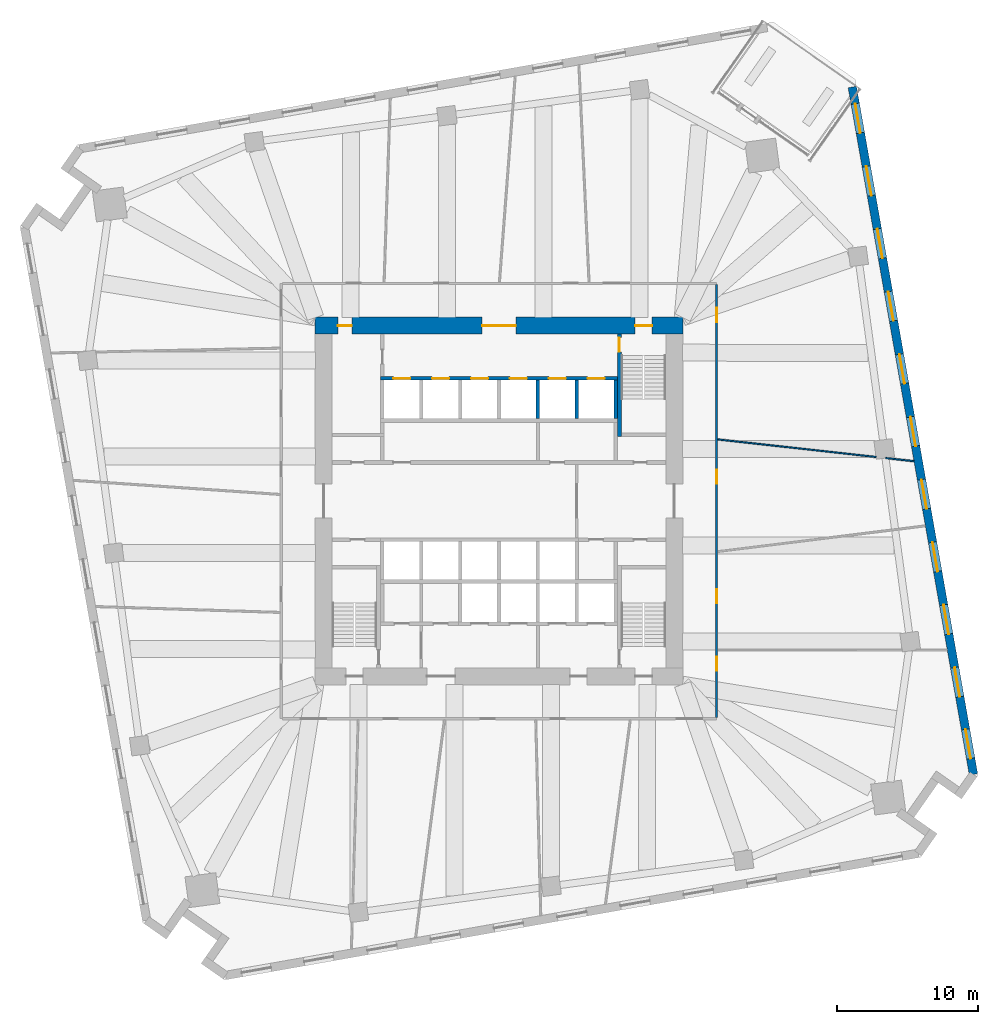
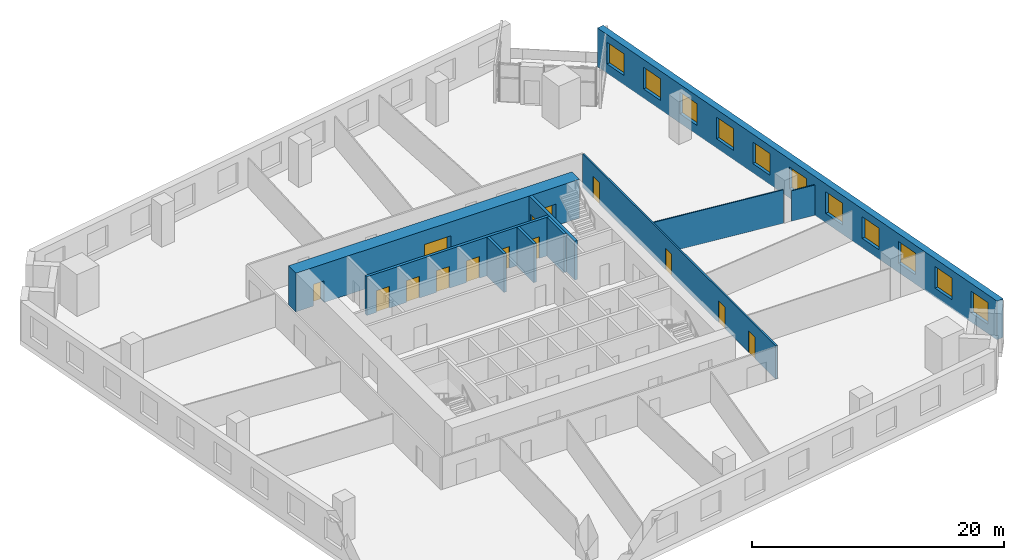
# One storey, part 7 of 10: 14 doors, 11 windows, 10 walls, 25 openings.
"""IFC4 building model written with IfcOpenShell, lengths in metres."""

from ifc_helpers import new_model, si_unit, direction, frame, frame_2d, origin, place, context, subcontext, project, spatial, rectangle, extrude, material, layer, layer_set, type_object, element, fill, save


model = new_model("IFC4")

# Units and contexts
model_context = context("Model", 3, precision=1e-05, world=origin(), true_north=direction((0.0, 1.0)))
body_context = subcontext(model_context, "Body", "Model", "MODEL_VIEW")
ifc_project = project(units=[si_unit("LENGTHUNIT", "METRE"), si_unit("AREAUNIT", "SQUARE_METRE"), si_unit("VOLUMEUNIT", "CUBIC_METRE"), si_unit("PLANEANGLEUNIT", "RADIAN"), si_unit("MASSUNIT", "GRAM", prefix="KILO")], contexts=[model_context])

# Site, building, storey
site_placement = place(None, origin())
site = spatial("IfcSite", under=ifc_project, at=site_placement, CompositionType="ELEMENT")
building_placement = place(site_placement, origin())
building = spatial("IfcBuilding", under=site, at=building_placement, Name="Dilmun Exchange Tower", CompositionType="ELEMENT")
storey_placement = place(building_placement, frame((0.0, 0.0, 63.89990234375)))
storey = spatial("IfcBuildingStorey", under=building, at=storey_placement, Name="L14", CompositionType="ELEMENT", Elevation=63.89990234375)

# Wall, openings, doors
ifc_material_1 = material(Name="Concrete C80/95", Category="concrete")
ifc_layer_1 = layer(ifc_material_1, 1.199951171875)
ifc_layer_set_1 = layer_set([ifc_layer_1], Name="Concrete C80/95")
wall_type_1 = type_object("IfcWallType", Name="Core shear wall 1200 Concrete C80/95", PredefinedType="SHEAR", material=ifc_layer_set_1)
wall_1_placement = place(storey_placement, frame((-13.0, 12.39990234375, 0.0), z_axis=(0.0, 0.0, 1.0), x_axis=(1.0, 0.0, 0.0)))
wall_1 = element("IfcWall", 1, at=wall_1_placement, inside=storey, type_object=wall_type_1, Name="L14 core shear wall N", PredefinedType="SHEAR", context=body_context, shape_type="SweptSolid", body=[
    extrude(rectangle(XDim=26.0, YDim=1.199951171875, at=frame_2d((13.0, 0.0))), origin(), (0.0, 0.0, 1.0), 3.75),
])
opening_1_placement = place(wall_1_placement, frame((11.800048828125, 0.0, 0.0)))
opening_1 = element("IfcOpeningElement", 2, at=opening_1_placement, cuts=wall_1, Name="Opening CD1", PredefinedType="OPENING", context=body_context, shape_type="SweptSolid", body=[
    extrude(rectangle(XDim=2.39990234375, YDim=2.39990234375, at=frame_2d((1.199951171875, 1.199951171875))), frame((0.0, 0.60986328125, 0.0), z_axis=(0.0, -1.0, 0.0), x_axis=(1.0, 0.0, 0.0)), (0.0, 0.0, 1.0), 1.219970703125),
])
opening_2_placement = place(wall_1_placement, frame((22.625, 0.0, 0.0)))
opening_2 = element("IfcOpeningElement", 3, at=opening_2_placement, cuts=wall_1, Name="Opening CD3", PredefinedType="OPENING", context=body_context, shape_type="SweptSolid", body=[
    extrude(rectangle(XDim=1.199951171875, YDim=2.10009765625, at=frame_2d((0.60009765625, 1.050048828125))), frame((0.0, 0.60986328125, 0.0), z_axis=(0.0, -1.0, 0.0), x_axis=(1.0, 0.0, 0.0)), (0.0, 0.0, 1.0), 1.219970703125),
])
opening_3_placement = place(wall_1_placement, frame((1.60009765625, 0.0, 0.0)))
opening_3 = element("IfcOpeningElement", 4, at=opening_3_placement, cuts=wall_1, Name="Opening CD4", PredefinedType="OPENING", context=body_context, shape_type="SweptSolid", body=[
    extrude(rectangle(XDim=1.0, YDim=2.10009765625, at=frame_2d((0.5, 1.050048828125))), frame((0.0, 0.60986328125, 0.0), z_axis=(0.0, -1.0, 0.0), x_axis=(1.0, 0.0, 0.0)), (0.0, 0.0, 1.0), 1.219970703125),
])
ifc_material_2 = material(Name="Fire-rated steel door set", Category="steel")
door_type_1 = type_object("IfcDoorType", Name="Core lobby door 2400x2400", OperationType="DOUBLE_DOOR_DOUBLE_SWING", PredefinedType="DOOR", material=ifc_material_2)
door_1_placement = place(opening_1_placement, origin())
door_1 = element("IfcDoor", 5, at=door_1_placement, inside=storey, type_object=door_type_1, Name="L14 door North lift lobby", OperationType="SINGLE_SWING_LEFT", OverallHeight=2.39990234375, OverallWidth=2.39990234375, PredefinedType="DOOR", context=body_context, shape_type="SweptSolid", body=[
    extrude(rectangle(XDim=2.39990234375, YDim=2.39990234375, at=frame_2d((1.199951171875, 1.199951171875))), frame((0.0, 0.02490234375, 0.0), z_axis=(0.0, -1.0, 0.0), x_axis=(1.0, 0.0, 0.0)), (0.0, 0.0, 1.0), 0.050048828125),
])
fill(opening_1, door_1)
door_type_2 = type_object("IfcDoorType", Name="Core room door 1000x2100", OperationType="SINGLE_SWING_LEFT", PredefinedType="DOOR", material=ifc_material_2)
door_2_placement = place(opening_3_placement, origin())
door_2 = element("IfcDoor", 6, at=door_2_placement, inside=storey, type_object=door_type_2, Name="L14 door North-west core rooms", OperationType="SINGLE_SWING_LEFT", OverallHeight=2.10009765625, OverallWidth=1.0, PredefinedType="DOOR", context=body_context, shape_type="SweptSolid", body=[
    extrude(rectangle(XDim=1.0, YDim=2.10009765625, at=frame_2d((0.5, 1.050048828125))), frame((0.0, 0.02490234375, 0.0), z_axis=(0.0, -1.0, 0.0), x_axis=(1.0, 0.0, 0.0)), (0.0, 0.0, 1.0), 0.050048828125),
])
fill(opening_3, door_2)
door_type_3 = type_object("IfcDoorType", Name="Stair exit door 1200x2100", OperationType="SINGLE_SWING_LEFT", PredefinedType="DOOR", material=ifc_material_2)
door_3_placement = place(opening_2_placement, origin())
door_3 = element("IfcDoor", 7, at=door_3_placement, inside=storey, type_object=door_type_3, Name="L14 door Stair ST1", OperationType="SINGLE_SWING_LEFT", OverallHeight=2.10009765625, OverallWidth=1.199951171875, PredefinedType="DOOR", context=body_context, shape_type="SweptSolid", body=[
    extrude(rectangle(XDim=1.199951171875, YDim=2.10009765625, at=frame_2d((0.60009765625, 1.050048828125))), frame((0.0, 0.02490234375, 0.0), z_axis=(0.0, -1.0, 0.0), x_axis=(1.0, 0.0, 0.0)), (0.0, 0.0, 1.0), 0.050048828125),
])
fill(opening_2, door_3)

ifc_material_3 = material(Name="Corridor wall 150")
ifc_layer_2 = layer(ifc_material_3, 0.14990234375)
ifc_layer_set_2 = layer_set([ifc_layer_2], Name="Corridor wall 150")
wall_type_2 = type_object("IfcWallType", Name="Corridor wall 150", PredefinedType="PARTITIONING", material=ifc_layer_set_2)
wall_2_placement = place(storey_placement, frame((15.39990234375, -15.324951171875, 0.0), z_axis=(0.0, 0.0, 1.0), x_axis=(0.0, 1.0, 0.0)))
wall_2 = element("IfcWall", 8, at=wall_2_placement, inside=storey, type_object=wall_type_2, Name="Corridor wall", PredefinedType="PARTITIONING", context=body_context, shape_type="SweptSolid", body=[
    extrude(rectangle(XDim=30.64990234375, YDim=0.14990234375, at=frame_2d((15.324951171875, 0.0))), origin(), (0.0, 0.0, 1.0), 3.25),
])
opening_4_placement = place(wall_2_placement, frame((27.985107421875, 0.0, 0.0)))
opening_4 = element("IfcOpeningElement", 9, at=opening_4_placement, cuts=wall_2, Name="Opening TF13-D14", PredefinedType="OPENING", context=body_context, shape_type="SweptSolid", body=[
    extrude(rectangle(XDim=1.0, YDim=2.10009765625, at=frame_2d((0.5, 1.050048828125))), frame((0.0, 0.0849609375, 0.0), z_axis=(0.0, -1.0, 0.0), x_axis=(1.0, 0.0, 0.0)), (0.0, 0.0, 1.0), 0.169921875),
])
opening_5_placement = place(wall_2_placement, frame((3.300048828125, 0.0, 0.0)))
opening_5 = element("IfcOpeningElement", 10, at=opening_5_placement, cuts=wall_2, Name="Opening TF13-D16", PredefinedType="OPENING", context=body_context, shape_type="SweptSolid", body=[
    extrude(rectangle(XDim=1.0, YDim=2.10009765625, at=frame_2d((0.5, 1.050048828125))), frame((0.0, 0.0849609375, 0.0), z_axis=(0.0, -1.0, 0.0), x_axis=(1.0, 0.0, 0.0)), (0.0, 0.0, 1.0), 0.169921875),
])
opening_6_placement = place(wall_2_placement, frame((16.53759765625, 0.0, 0.0)))
opening_6 = element("IfcOpeningElement", 11, at=opening_6_placement, cuts=wall_2, Name="Opening TF13-D17", PredefinedType="OPENING", context=body_context, shape_type="SweptSolid", body=[
    extrude(rectangle(XDim=1.0, YDim=2.10009765625, at=frame_2d((0.5, 1.050048828125))), frame((0.0, 0.0849609375, 0.0), z_axis=(0.0, -1.0, 0.0), x_axis=(1.0, 0.0, 0.0)), (0.0, 0.0, 1.0), 0.169921875),
])
opening_7_placement = place(wall_2_placement, frame((8.08740234375, 0.0, 0.0)))
opening_7 = element("IfcOpeningElement", 12, at=opening_7_placement, cuts=wall_2, Name="Opening TF13-D18", PredefinedType="OPENING", context=body_context, shape_type="SweptSolid", body=[
    extrude(rectangle(XDim=1.0, YDim=2.10009765625, at=frame_2d((0.5, 1.050048828125))), frame((0.0, 0.0849609375, 0.0), z_axis=(0.0, -1.0, 0.0), x_axis=(1.0, 0.0, 0.0)), (0.0, 0.0, 1.0), 0.169921875),
])
ifc_material_4 = material(Name="Fire door 1000 x 2100")
door_type_4 = type_object("IfcDoorType", Name="Fire door 1000 x 2100", OperationType="NOTDEFINED", PredefinedType="DOOR", material=ifc_material_4)
door_4_placement = place(opening_4_placement, frame((1.0, 0.0, 0.0), z_axis=(0.0, 0.0, 1.0), x_axis=(-1.0, 0.0, 0.0)))
door_4 = element("IfcDoor", 13, at=door_4_placement, inside=storey, type_object=door_type_4, Name="Door TF13-D14", OperationType="SINGLE_SWING_LEFT", OverallHeight=2.10009765625, OverallWidth=1.0, PredefinedType="DOOR", context=body_context, shape_type="SweptSolid", body=[
    extrude(rectangle(XDim=1.0, YDim=2.10009765625, at=frame_2d((0.5, 1.050048828125))), frame((0.0, 0.02490234375, 0.0), z_axis=(0.0, -1.0, 0.0), x_axis=(1.0, 0.0, 0.0)), (0.0, 0.0, 1.0), 0.050048828125),
])
fill(opening_4, door_4)
door_5_placement = place(opening_5_placement, frame((1.0, 0.0, 0.0), z_axis=(0.0, 0.0, 1.0), x_axis=(-1.0, 0.0, 0.0)))
door_5 = element("IfcDoor", 14, at=door_5_placement, inside=storey, type_object=door_type_4, Name="Door TF13-D16", OperationType="SINGLE_SWING_RIGHT", OverallHeight=2.10009765625, OverallWidth=1.0, PredefinedType="DOOR", context=body_context, shape_type="SweptSolid", body=[
    extrude(rectangle(XDim=1.0, YDim=2.10009765625, at=frame_2d((0.5, 1.050048828125))), frame((0.0, 0.02490234375, 0.0), z_axis=(0.0, -1.0, 0.0), x_axis=(1.0, 0.0, 0.0)), (0.0, 0.0, 1.0), 0.050048828125),
])
fill(opening_5, door_5)
door_6_placement = place(opening_6_placement, frame((1.0, 0.0, 0.0), z_axis=(0.0, 0.0, 1.0), x_axis=(-1.0, 0.0, 0.0)))
door_6 = element("IfcDoor", 15, at=door_6_placement, inside=storey, type_object=door_type_4, Name="Door TF13-D17", OperationType="SINGLE_SWING_RIGHT", OverallHeight=2.10009765625, OverallWidth=1.0, PredefinedType="DOOR", context=body_context, shape_type="SweptSolid", body=[
    extrude(rectangle(XDim=1.0, YDim=2.10009765625, at=frame_2d((0.5, 1.050048828125))), frame((0.0, 0.02490234375, 0.0), z_axis=(0.0, -1.0, 0.0), x_axis=(1.0, 0.0, 0.0)), (0.0, 0.0, 1.0), 0.050048828125),
])
fill(opening_6, door_6)
door_7_placement = place(opening_7_placement, frame((1.0, 0.0, 0.0), z_axis=(0.0, 0.0, 1.0), x_axis=(-1.0, 0.0, 0.0)))
door_7 = element("IfcDoor", 16, at=door_7_placement, inside=storey, type_object=door_type_4, Name="Door TF13-D18", OperationType="SINGLE_SWING_RIGHT", OverallHeight=2.10009765625, OverallWidth=1.0, PredefinedType="DOOR", context=body_context, shape_type="SweptSolid", body=[
    extrude(rectangle(XDim=1.0, YDim=2.10009765625, at=frame_2d((0.5, 1.050048828125))), frame((0.0, 0.02490234375, 0.0), z_axis=(0.0, -1.0, 0.0), x_axis=(1.0, 0.0, 0.0)), (0.0, 0.0, 1.0), 0.050048828125),
])
fill(opening_7, door_7)

ifc_material_5 = material(Name="Concrete C40/50", Category="concrete")
ifc_layer_3 = layer(ifc_material_5, 0.25)
ifc_layer_set_3 = layer_set([ifc_layer_3], Name="Concrete C40/50")
wall_type_3 = type_object("IfcWallType", Name="Lift shaft wall 250", PredefinedType="SOLIDWALL", material=ifc_layer_set_3)
wall_3_placement = place(storey_placement, frame((-8.375, 8.675048828125, 0.0), z_axis=(0.0, 0.0, 1.0), x_axis=(1.0, 0.0, 0.0)))
wall_3 = element("IfcWall", 17, at=wall_3_placement, inside=storey, type_object=wall_type_3, Name="L14 lift shaft front wall N2", PredefinedType="SOLIDWALL", context=body_context, shape_type="SweptSolid", body=[
    extrude(rectangle(XDim=16.75, YDim=0.25, at=frame_2d((8.375, 0.0))), origin(), (0.0, 0.0, 1.0), 3.75),
])
opening_8_placement = place(wall_3_placement, frame((0.89990234375, 0.0, 0.0)))
opening_8 = element("IfcOpeningElement", 18, at=opening_8_placement, cuts=wall_3, Name="Opening LD", PredefinedType="OPENING", context=body_context, shape_type="SweptSolid", body=[
    extrude(rectangle(XDim=1.199951171875, YDim=2.10009765625, at=frame_2d((0.60009765625, 1.050048828125))), frame((0.0, 0.135009765625, 0.0), z_axis=(0.0, -1.0, 0.0), x_axis=(1.0, 0.0, 0.0)), (0.0, 0.0, 1.0), 0.27001953125),
])
opening_9_placement = place(wall_3_placement, frame((3.64990234375, 0.0, 0.0)))
opening_9 = element("IfcOpeningElement", 19, at=opening_9_placement, cuts=wall_3, Name="Opening LD", PredefinedType="OPENING", context=body_context, shape_type="SweptSolid", body=[
    extrude(rectangle(XDim=1.199951171875, YDim=2.10009765625, at=frame_2d((0.60009765625, 1.050048828125))), frame((0.0, 0.135009765625, 0.0), z_axis=(0.0, -1.0, 0.0), x_axis=(1.0, 0.0, 0.0)), (0.0, 0.0, 1.0), 0.27001953125),
])
opening_10_placement = place(wall_3_placement, frame((6.39990234375, 0.0, 0.0)))
opening_10 = element("IfcOpeningElement", 20, at=opening_10_placement, cuts=wall_3, Name="Opening LD", PredefinedType="OPENING", context=body_context, shape_type="SweptSolid", body=[
    extrude(rectangle(XDim=1.199951171875, YDim=2.10009765625, at=frame_2d((0.60009765625, 1.050048828125))), frame((0.0, 0.135009765625, 0.0), z_axis=(0.0, -1.0, 0.0), x_axis=(1.0, 0.0, 0.0)), (0.0, 0.0, 1.0), 0.27001953125),
])
opening_11_placement = place(wall_3_placement, frame((9.14990234375, 0.0, 0.0)))
opening_11 = element("IfcOpeningElement", 21, at=opening_11_placement, cuts=wall_3, Name="Opening LD", PredefinedType="OPENING", context=body_context, shape_type="SweptSolid", body=[
    extrude(rectangle(XDim=1.199951171875, YDim=2.10009765625, at=frame_2d((0.60009765625, 1.050048828125))), frame((0.0, 0.135009765625, 0.0), z_axis=(0.0, -1.0, 0.0), x_axis=(1.0, 0.0, 0.0)), (0.0, 0.0, 1.0), 0.27001953125),
])
opening_12_placement = place(wall_3_placement, frame((11.89990234375, 0.0, 0.0)))
opening_12 = element("IfcOpeningElement", 22, at=opening_12_placement, cuts=wall_3, Name="Opening LD", PredefinedType="OPENING", context=body_context, shape_type="SweptSolid", body=[
    extrude(rectangle(XDim=1.199951171875, YDim=2.10009765625, at=frame_2d((0.60009765625, 1.050048828125))), frame((0.0, 0.135009765625, 0.0), z_axis=(0.0, -1.0, 0.0), x_axis=(1.0, 0.0, 0.0)), (0.0, 0.0, 1.0), 0.27001953125),
])
opening_13_placement = place(wall_3_placement, frame((14.64990234375, 0.0, 0.0)))
opening_13 = element("IfcOpeningElement", 23, at=opening_13_placement, cuts=wall_3, Name="Opening LD", PredefinedType="OPENING", context=body_context, shape_type="SweptSolid", body=[
    extrude(rectangle(XDim=1.199951171875, YDim=2.10009765625, at=frame_2d((0.60009765625, 1.050048828125))), frame((0.0, 0.135009765625, 0.0), z_axis=(0.0, -1.0, 0.0), x_axis=(1.0, 0.0, 0.0)), (0.0, 0.0, 1.0), 0.27001953125),
])
door_type_5 = type_object("IfcDoorType", Name="Lift landing door 1200x2100", OperationType="DOUBLE_DOOR_SLIDING", PredefinedType="DOOR", material=ifc_material_2)
door_8_placement = place(opening_8_placement, origin())
door_8 = element("IfcDoor", 24, at=door_8_placement, inside=storey, type_object=door_type_5, Name="L14 landing door LR1", OperationType="DOUBLE_DOOR_SLIDING", OverallHeight=2.10009765625, OverallWidth=1.199951171875, PredefinedType="DOOR", context=body_context, shape_type="SweptSolid", body=[
    extrude(rectangle(XDim=1.199951171875, YDim=2.10009765625, at=frame_2d((0.60009765625, 1.050048828125))), frame((0.0, 0.02490234375, 0.0), z_axis=(0.0, -1.0, 0.0), x_axis=(1.0, 0.0, 0.0)), (0.0, 0.0, 1.0), 0.050048828125),
])
fill(opening_8, door_8)
door_9_placement = place(opening_9_placement, origin())
door_9 = element("IfcDoor", 25, at=door_9_placement, inside=storey, type_object=door_type_5, Name="L14 landing door LR2", OperationType="DOUBLE_DOOR_SLIDING", OverallHeight=2.10009765625, OverallWidth=1.199951171875, PredefinedType="DOOR", context=body_context, shape_type="SweptSolid", body=[
    extrude(rectangle(XDim=1.199951171875, YDim=2.10009765625, at=frame_2d((0.60009765625, 1.050048828125))), frame((0.0, 0.02490234375, 0.0), z_axis=(0.0, -1.0, 0.0), x_axis=(1.0, 0.0, 0.0)), (0.0, 0.0, 1.0), 0.050048828125),
])
fill(opening_9, door_9)
door_10_placement = place(opening_10_placement, origin())
door_10 = element("IfcDoor", 26, at=door_10_placement, inside=storey, type_object=door_type_5, Name="L14 landing door LR3", OperationType="DOUBLE_DOOR_SLIDING", OverallHeight=2.10009765625, OverallWidth=1.199951171875, PredefinedType="DOOR", context=body_context, shape_type="SweptSolid", body=[
    extrude(rectangle(XDim=1.199951171875, YDim=2.10009765625, at=frame_2d((0.60009765625, 1.050048828125))), frame((0.0, 0.02490234375, 0.0), z_axis=(0.0, -1.0, 0.0), x_axis=(1.0, 0.0, 0.0)), (0.0, 0.0, 1.0), 0.050048828125),
])
fill(opening_10, door_10)
door_11_placement = place(opening_11_placement, origin())
door_11 = element("IfcDoor", 27, at=door_11_placement, inside=storey, type_object=door_type_5, Name="L14 landing door LR4", OperationType="DOUBLE_DOOR_SLIDING", OverallHeight=2.10009765625, OverallWidth=1.199951171875, PredefinedType="DOOR", context=body_context, shape_type="SweptSolid", body=[
    extrude(rectangle(XDim=1.199951171875, YDim=2.10009765625, at=frame_2d((0.60009765625, 1.050048828125))), frame((0.0, 0.02490234375, 0.0), z_axis=(0.0, -1.0, 0.0), x_axis=(1.0, 0.0, 0.0)), (0.0, 0.0, 1.0), 0.050048828125),
])
fill(opening_11, door_11)
door_12_placement = place(opening_12_placement, origin())
door_12 = element("IfcDoor", 28, at=door_12_placement, inside=storey, type_object=door_type_5, Name="L14 landing door LR5", OperationType="DOUBLE_DOOR_SLIDING", OverallHeight=2.10009765625, OverallWidth=1.199951171875, PredefinedType="DOOR", context=body_context, shape_type="SweptSolid", body=[
    extrude(rectangle(XDim=1.199951171875, YDim=2.10009765625, at=frame_2d((0.60009765625, 1.050048828125))), frame((0.0, 0.02490234375, 0.0), z_axis=(0.0, -1.0, 0.0), x_axis=(1.0, 0.0, 0.0)), (0.0, 0.0, 1.0), 0.050048828125),
])
fill(opening_12, door_12)
door_13_placement = place(opening_13_placement, origin())
door_13 = element("IfcDoor", 29, at=door_13_placement, inside=storey, type_object=door_type_5, Name="L14 landing door LR6", OperationType="DOUBLE_DOOR_SLIDING", OverallHeight=2.10009765625, OverallWidth=1.199951171875, PredefinedType="DOOR", context=body_context, shape_type="SweptSolid", body=[
    extrude(rectangle(XDim=1.199951171875, YDim=2.10009765625, at=frame_2d((0.60009765625, 1.050048828125))), frame((0.0, 0.02490234375, 0.0), z_axis=(0.0, -1.0, 0.0), x_axis=(1.0, 0.0, 0.0)), (0.0, 0.0, 1.0), 0.050048828125),
])
fill(opening_13, door_13)

# Walls
for number, where, z_axis, x_axis, name in (
    (30, (2.75, 5.85009765625, 0.0), (0.0, 0.0, 1.0), (0.0, 1.0, 0.0), "L14 lift shaft divider N24"),
    (31, (5.5, 5.85009765625, 0.0), (0.0, 0.0, 1.0), (0.0, 1.0, 0.0), "L14 lift shaft divider N25"),
    (32, (8.25, 5.85009765625, 0.0), (0.0, 0.0, 1.0), (0.0, 1.0, 0.0), "L14 lift shaft divider N26"),
):
    element("IfcWall", number, at=place(storey_placement, frame(where, z_axis=z_axis, x_axis=x_axis)), inside=storey, type_object=wall_type_3, Name=name, PredefinedType="SOLIDWALL", context=body_context, shape_type="SweptSolid", body=[
        extrude(rectangle(XDim=2.699951171875, YDim=0.25, at=frame_2d((1.35009765625, 0.0))), origin(), (0.0, 0.0, 1.0), 3.75),
    ])
ifc_material_6 = material(Name="Partition 100")
ifc_layer_4 = layer(ifc_material_6, 0.10009765625)
ifc_layer_set_4 = layer_set([ifc_layer_4], Name="Partition 100")
wall_type_4 = type_object("IfcWallType", Name="Partition 100", PredefinedType="PARTITIONING", material=ifc_layer_set_4)
wall_4_placement = place(storey_placement, frame((15.48046875, 4.356201171875, 0.0), z_axis=(0.0, 0.0, 1.0), x_axis=(0.993895889778, -0.11032207523, 0.0)))
element("IfcWall", 33, at=wall_4_placement, inside=storey, type_object=wall_type_4, Name="Partition", PredefinedType="PARTITIONING", context=body_context, shape_type="SweptSolid", body=[
    extrude(rectangle(XDim=11.261962890625, YDim=0.10009765625, at=frame_2d((5.630859375, 0.0))), origin(), (0.0, 0.0, 1.0), 3.25),
])
wall_5_placement = place(storey_placement, frame((27.35205078125, 3.03857421875, 0.0), z_axis=(0.0, 0.0, 1.0), x_axis=(0.993891119471, -0.110365042642, 0.0)))
element("IfcWall", 34, at=wall_5_placement, inside=storey, type_object=wall_type_4, Name="Partition", PredefinedType="PARTITIONING", context=body_context, shape_type="SweptSolid", body=[
    extrude(rectangle(XDim=2.01513671875, YDim=0.10009765625, at=frame_2d((1.007568359375, 0.0))), origin(), (0.0, 0.0, 1.0), 2.9501953125),
])

# Wall, openings, windows
ifc_material_7 = material(Name="Precast concrete C50/60", Category="concrete")
ifc_layer_5 = layer(ifc_material_7, 0.60009765625)
ifc_layer_set_5 = layer_set([ifc_layer_5], Name="Precast concrete C50/60")
wall_type_5 = type_object("IfcWallType", Name="Precast stone-clad wall 600", PredefinedType="STANDARD", material=ifc_layer_set_5)
wall_6_placement = place(storey_placement, frame((33.568359375, -19.340576171875, 0.0), z_axis=(0.0, 0.0, 1.0), x_axis=(-0.173647117517, 0.984807939945, 0.0)))
wall_6 = element("IfcWall", 35, at=wall_6_placement, inside=storey, type_object=wall_type_5, Name="Facade wall L14-21", PredefinedType="STANDARD", context=body_context, shape_type="SweptSolid", body=[
    extrude(rectangle(XDim=49.375732421875, YDim=0.60009765625, at=frame_2d((24.68798828125, 0.0))), origin(), (0.0, 0.0, 1.0), 3.75),
])
opening_14_placement = place(wall_6_placement, frame((1.137939453125, 0.0, 0.89990234375)))
opening_14 = element("IfcOpeningElement", 36, at=opening_14_placement, cuts=wall_6, Name="Opening W210-210", PredefinedType="OPENING", context=body_context, shape_type="SweptSolid", body=[
    extrude(rectangle(XDim=2.10009765625, YDim=2.10009765625, at=frame_2d((1.050048828125, 1.050048828125))), frame((0.0, 0.31005859375, 0.0), z_axis=(0.0, -1.0, 0.0), x_axis=(1.0, 0.0, 0.0)), (0.0, 0.0, 1.0), 0.6201171875),
])
opening_15_placement = place(wall_6_placement, frame((5.57568359375, 0.0, 0.89990234375)))
opening_15 = element("IfcOpeningElement", 37, at=opening_15_placement, cuts=wall_6, Name="Opening W210-210", PredefinedType="OPENING", context=body_context, shape_type="SweptSolid", body=[
    extrude(rectangle(XDim=2.10009765625, YDim=2.10009765625, at=frame_2d((1.050048828125, 1.050048828125))), frame((0.0, 0.31005859375, 0.0), z_axis=(0.0, -1.0, 0.0), x_axis=(1.0, 0.0, 0.0)), (0.0, 0.0, 1.0), 0.6201171875),
])
opening_16_placement = place(wall_6_placement, frame((10.07568359375, 0.0, 0.89990234375)))
opening_16 = element("IfcOpeningElement", 38, at=opening_16_placement, cuts=wall_6, Name="Opening W210-210", PredefinedType="OPENING", context=body_context, shape_type="SweptSolid", body=[
    extrude(rectangle(XDim=2.10009765625, YDim=2.10009765625, at=frame_2d((1.050048828125, 1.050048828125))), frame((0.0, 0.31005859375, 0.0), z_axis=(0.0, -1.0, 0.0), x_axis=(1.0, 0.0, 0.0)), (0.0, 0.0, 1.0), 0.6201171875),
])
opening_17_placement = place(wall_6_placement, frame((14.57568359375, 0.0, 0.89990234375)))
opening_17 = element("IfcOpeningElement", 39, at=opening_17_placement, cuts=wall_6, Name="Opening W210-210", PredefinedType="OPENING", context=body_context, shape_type="SweptSolid", body=[
    extrude(rectangle(XDim=2.10009765625, YDim=2.10009765625, at=frame_2d((1.050048828125, 1.050048828125))), frame((0.0, 0.31005859375, 0.0), z_axis=(0.0, -1.0, 0.0), x_axis=(1.0, 0.0, 0.0)), (0.0, 0.0, 1.0), 0.6201171875),
])
opening_18_placement = place(wall_6_placement, frame((19.07568359375, 0.0, 0.89990234375)))
opening_18 = element("IfcOpeningElement", 40, at=opening_18_placement, cuts=wall_6, Name="Opening W210-210", PredefinedType="OPENING", context=body_context, shape_type="SweptSolid", body=[
    extrude(rectangle(XDim=2.10009765625, YDim=2.10009765625, at=frame_2d((1.050048828125, 1.050048828125))), frame((0.0, 0.31005859375, 0.0), z_axis=(0.0, -1.0, 0.0), x_axis=(1.0, 0.0, 0.0)), (0.0, 0.0, 1.0), 0.6201171875),
])
opening_19_placement = place(wall_6_placement, frame((23.57568359375, 0.0, 0.89990234375)))
opening_19 = element("IfcOpeningElement", 41, at=opening_19_placement, cuts=wall_6, Name="Opening W210-210", PredefinedType="OPENING", context=body_context, shape_type="SweptSolid", body=[
    extrude(rectangle(XDim=2.10009765625, YDim=2.10009765625, at=frame_2d((1.050048828125, 1.050048828125))), frame((0.0, 0.31005859375, 0.0), z_axis=(0.0, -1.0, 0.0), x_axis=(1.0, 0.0, 0.0)), (0.0, 0.0, 1.0), 0.6201171875),
])
opening_20_placement = place(wall_6_placement, frame((28.07568359375, 0.0, 0.89990234375)))
opening_20 = element("IfcOpeningElement", 42, at=opening_20_placement, cuts=wall_6, Name="Opening W210-210", PredefinedType="OPENING", context=body_context, shape_type="SweptSolid", body=[
    extrude(rectangle(XDim=2.10009765625, YDim=2.10009765625, at=frame_2d((1.050048828125, 1.050048828125))), frame((0.0, 0.31005859375, 0.0), z_axis=(0.0, -1.0, 0.0), x_axis=(1.0, 0.0, 0.0)), (0.0, 0.0, 1.0), 0.6201171875),
])
opening_21_placement = place(wall_6_placement, frame((32.57568359375, 0.0, 0.89990234375)))
opening_21 = element("IfcOpeningElement", 43, at=opening_21_placement, cuts=wall_6, Name="Opening W210-210", PredefinedType="OPENING", context=body_context, shape_type="SweptSolid", body=[
    extrude(rectangle(XDim=2.10009765625, YDim=2.10009765625, at=frame_2d((1.050048828125, 1.050048828125))), frame((0.0, 0.31005859375, 0.0), z_axis=(0.0, -1.0, 0.0), x_axis=(1.0, 0.0, 0.0)), (0.0, 0.0, 1.0), 0.6201171875),
])
opening_22_placement = place(wall_6_placement, frame((37.07568359375, 0.0, 0.89990234375)))
opening_22 = element("IfcOpeningElement", 44, at=opening_22_placement, cuts=wall_6, Name="Opening W210-210", PredefinedType="OPENING", context=body_context, shape_type="SweptSolid", body=[
    extrude(rectangle(XDim=2.10009765625, YDim=2.10009765625, at=frame_2d((1.050048828125, 1.050048828125))), frame((0.0, 0.31005859375, 0.0), z_axis=(0.0, -1.0, 0.0), x_axis=(1.0, 0.0, 0.0)), (0.0, 0.0, 1.0), 0.6201171875),
])
opening_23_placement = place(wall_6_placement, frame((41.57568359375, 0.0, 0.89990234375)))
opening_23 = element("IfcOpeningElement", 45, at=opening_23_placement, cuts=wall_6, Name="Opening W210-210", PredefinedType="OPENING", context=body_context, shape_type="SweptSolid", body=[
    extrude(rectangle(XDim=2.10009765625, YDim=2.10009765625, at=frame_2d((1.050048828125, 1.050048828125))), frame((0.0, 0.31005859375, 0.0), z_axis=(0.0, -1.0, 0.0), x_axis=(1.0, 0.0, 0.0)), (0.0, 0.0, 1.0), 0.6201171875),
])
opening_24_placement = place(wall_6_placement, frame((46.07568359375, 0.0, 0.89990234375)))
opening_24 = element("IfcOpeningElement", 46, at=opening_24_placement, cuts=wall_6, Name="Opening W210-210", PredefinedType="OPENING", context=body_context, shape_type="SweptSolid", body=[
    extrude(rectangle(XDim=2.10009765625, YDim=2.10009765625, at=frame_2d((1.050048828125, 1.050048828125))), frame((0.0, 0.31005859375, 0.0), z_axis=(0.0, -1.0, 0.0), x_axis=(1.0, 0.0, 0.0)), (0.0, 0.0, 1.0), 0.6201171875),
])
ifc_material_8 = material(Name="Clear low-emissivity glass in aluminium frame", Category="aluminium")
window_type = type_object("IfcWindowType", Name="Punched window 2100 x 2100", PartitioningType="DOUBLE_PANEL_VERTICAL", PredefinedType="WINDOW", material=ifc_material_8)
window_1_placement = place(opening_14_placement, origin())
window_1 = element("IfcWindow", 47, at=window_1_placement, inside=storey, type_object=window_type, Name="Window 22.1", OverallHeight=2.10009765625, OverallWidth=2.10009765625, PartitioningType="SINGLE_PANEL", PredefinedType="WINDOW", context=body_context, shape_type="SweptSolid", body=[
    extrude(rectangle(XDim=2.10009765625, YDim=2.10009765625, at=frame_2d((1.050048828125, 1.050048828125))), frame((0.0, 0.030029296875, 0.0), z_axis=(0.0, -1.0, 0.0), x_axis=(1.0, 0.0, 0.0)), (0.0, 0.0, 1.0), 0.06005859375),
])
fill(opening_14, window_1)
window_2_placement = place(opening_15_placement, origin())
window_2 = element("IfcWindow", 48, at=window_2_placement, inside=storey, type_object=window_type, Name="Window 22.2", OverallHeight=2.10009765625, OverallWidth=2.10009765625, PartitioningType="SINGLE_PANEL", PredefinedType="WINDOW", context=body_context, shape_type="SweptSolid", body=[
    extrude(rectangle(XDim=2.10009765625, YDim=2.10009765625, at=frame_2d((1.050048828125, 1.050048828125))), frame((0.0, 0.030029296875, 0.0), z_axis=(0.0, -1.0, 0.0), x_axis=(1.0, 0.0, 0.0)), (0.0, 0.0, 1.0), 0.06005859375),
])
fill(opening_15, window_2)
window_3_placement = place(opening_16_placement, origin())
window_3 = element("IfcWindow", 49, at=window_3_placement, inside=storey, type_object=window_type, Name="Window 22.3", OverallHeight=2.10009765625, OverallWidth=2.10009765625, PartitioningType="SINGLE_PANEL", PredefinedType="WINDOW", context=body_context, shape_type="SweptSolid", body=[
    extrude(rectangle(XDim=2.10009765625, YDim=2.10009765625, at=frame_2d((1.050048828125, 1.050048828125))), frame((0.0, 0.030029296875, 0.0), z_axis=(0.0, -1.0, 0.0), x_axis=(1.0, 0.0, 0.0)), (0.0, 0.0, 1.0), 0.06005859375),
])
fill(opening_16, window_3)
window_4_placement = place(opening_17_placement, origin())
window_4 = element("IfcWindow", 50, at=window_4_placement, inside=storey, type_object=window_type, Name="Window 22.4", OverallHeight=2.10009765625, OverallWidth=2.10009765625, PartitioningType="SINGLE_PANEL", PredefinedType="WINDOW", context=body_context, shape_type="SweptSolid", body=[
    extrude(rectangle(XDim=2.10009765625, YDim=2.10009765625, at=frame_2d((1.050048828125, 1.050048828125))), frame((0.0, 0.030029296875, 0.0), z_axis=(0.0, -1.0, 0.0), x_axis=(1.0, 0.0, 0.0)), (0.0, 0.0, 1.0), 0.06005859375),
])
fill(opening_17, window_4)
window_5_placement = place(opening_18_placement, origin())
window_5 = element("IfcWindow", 51, at=window_5_placement, inside=storey, type_object=window_type, Name="Window 22.5", OverallHeight=2.10009765625, OverallWidth=2.10009765625, PartitioningType="SINGLE_PANEL", PredefinedType="WINDOW", context=body_context, shape_type="SweptSolid", body=[
    extrude(rectangle(XDim=2.10009765625, YDim=2.10009765625, at=frame_2d((1.050048828125, 1.050048828125))), frame((0.0, 0.030029296875, 0.0), z_axis=(0.0, -1.0, 0.0), x_axis=(1.0, 0.0, 0.0)), (0.0, 0.0, 1.0), 0.06005859375),
])
fill(opening_18, window_5)
window_6_placement = place(opening_19_placement, origin())
window_6 = element("IfcWindow", 52, at=window_6_placement, inside=storey, type_object=window_type, Name="Window 22.6", OverallHeight=2.10009765625, OverallWidth=2.10009765625, PartitioningType="SINGLE_PANEL", PredefinedType="WINDOW", context=body_context, shape_type="SweptSolid", body=[
    extrude(rectangle(XDim=2.10009765625, YDim=2.10009765625, at=frame_2d((1.050048828125, 1.050048828125))), frame((0.0, 0.030029296875, 0.0), z_axis=(0.0, -1.0, 0.0), x_axis=(1.0, 0.0, 0.0)), (0.0, 0.0, 1.0), 0.06005859375),
])
fill(opening_19, window_6)
window_7_placement = place(opening_20_placement, origin())
window_7 = element("IfcWindow", 53, at=window_7_placement, inside=storey, type_object=window_type, Name="Window 22.7", OverallHeight=2.10009765625, OverallWidth=2.10009765625, PartitioningType="SINGLE_PANEL", PredefinedType="WINDOW", context=body_context, shape_type="SweptSolid", body=[
    extrude(rectangle(XDim=2.10009765625, YDim=2.10009765625, at=frame_2d((1.050048828125, 1.050048828125))), frame((0.0, 0.030029296875, 0.0), z_axis=(0.0, -1.0, 0.0), x_axis=(1.0, 0.0, 0.0)), (0.0, 0.0, 1.0), 0.06005859375),
])
fill(opening_20, window_7)
window_8_placement = place(opening_21_placement, origin())
window_8 = element("IfcWindow", 54, at=window_8_placement, inside=storey, type_object=window_type, Name="Window 22.8", OverallHeight=2.10009765625, OverallWidth=2.10009765625, PartitioningType="SINGLE_PANEL", PredefinedType="WINDOW", context=body_context, shape_type="SweptSolid", body=[
    extrude(rectangle(XDim=2.10009765625, YDim=2.10009765625, at=frame_2d((1.050048828125, 1.050048828125))), frame((0.0, 0.030029296875, 0.0), z_axis=(0.0, -1.0, 0.0), x_axis=(1.0, 0.0, 0.0)), (0.0, 0.0, 1.0), 0.06005859375),
])
fill(opening_21, window_8)
window_9_placement = place(opening_22_placement, origin())
window_9 = element("IfcWindow", 55, at=window_9_placement, inside=storey, type_object=window_type, Name="Window 22.9", OverallHeight=2.10009765625, OverallWidth=2.10009765625, PartitioningType="SINGLE_PANEL", PredefinedType="WINDOW", context=body_context, shape_type="SweptSolid", body=[
    extrude(rectangle(XDim=2.10009765625, YDim=2.10009765625, at=frame_2d((1.050048828125, 1.050048828125))), frame((0.0, 0.030029296875, 0.0), z_axis=(0.0, -1.0, 0.0), x_axis=(1.0, 0.0, 0.0)), (0.0, 0.0, 1.0), 0.06005859375),
])
fill(opening_22, window_9)
window_10_placement = place(opening_23_placement, origin())
window_10 = element("IfcWindow", 56, at=window_10_placement, inside=storey, type_object=window_type, Name="Window 22.10", OverallHeight=2.10009765625, OverallWidth=2.10009765625, PartitioningType="SINGLE_PANEL", PredefinedType="WINDOW", context=body_context, shape_type="SweptSolid", body=[
    extrude(rectangle(XDim=2.10009765625, YDim=2.10009765625, at=frame_2d((1.050048828125, 1.050048828125))), frame((0.0, 0.030029296875, 0.0), z_axis=(0.0, -1.0, 0.0), x_axis=(1.0, 0.0, 0.0)), (0.0, 0.0, 1.0), 0.06005859375),
])
fill(opening_23, window_10)
window_11_placement = place(opening_24_placement, origin())
window_11 = element("IfcWindow", 57, at=window_11_placement, inside=storey, type_object=window_type, Name="Window 22.11", OverallHeight=2.10009765625, OverallWidth=2.10009765625, PartitioningType="SINGLE_PANEL", PredefinedType="WINDOW", context=body_context, shape_type="SweptSolid", body=[
    extrude(rectangle(XDim=2.10009765625, YDim=2.10009765625, at=frame_2d((1.050048828125, 1.050048828125))), frame((0.0, 0.030029296875, 0.0), z_axis=(0.0, -1.0, 0.0), x_axis=(1.0, 0.0, 0.0)), (0.0, 0.0, 1.0), 0.06005859375),
])
fill(opening_24, window_11)

# Wall, opening, door
ifc_layer_6 = layer(ifc_material_5, 0.27490234375)
ifc_layer_set_6 = layer_set([ifc_layer_6], Name="Concrete C40/50")
wall_type_6 = type_object("IfcWallType", Name="Stair wall 275", PredefinedType="SOLIDWALL", material=ifc_layer_set_6)
wall_7_placement = place(storey_placement, frame((8.512451171875, 4.550048828125, 0.0), z_axis=(0.0, 0.0, 1.0), x_axis=(0.0, 1.0, 0.0)))
wall_7 = element("IfcWall", 58, at=wall_7_placement, inside=storey, type_object=wall_type_6, Name="L14 ST1 wall to lift block", PredefinedType="SOLIDWALL", context=body_context, shape_type="SweptSolid", body=[
    extrude(rectangle(XDim=7.25, YDim=0.27490234375, at=frame_2d((3.625, 0.0))), origin(), (0.0, 0.0, 1.0), 3.75),
])
opening_25_placement = place(wall_7_placement, frame((6.0, 0.0, 0.0)))
opening_25 = element("IfcOpeningElement", 59, at=opening_25_placement, cuts=wall_7, Name="Opening CD4", PredefinedType="OPENING", context=body_context, shape_type="SweptSolid", body=[
    extrude(rectangle(XDim=1.0, YDim=2.10009765625, at=frame_2d((0.5, 1.050048828125))), frame((0.0, 0.1474609375, 0.0), z_axis=(0.0, -1.0, 0.0), x_axis=(1.0, 0.0, 0.0)), (0.0, 0.0, 1.0), 0.294921875),
])
door_14_placement = place(opening_25_placement, origin())
door_14 = element("IfcDoor", 60, at=door_14_placement, inside=storey, type_object=door_type_2, Name="L14 door ST1 from lobby", OperationType="SINGLE_SWING_LEFT", OverallHeight=2.10009765625, OverallWidth=1.0, PredefinedType="DOOR", context=body_context, shape_type="SweptSolid", body=[
    extrude(rectangle(XDim=1.0, YDim=2.10009765625, at=frame_2d((0.5, 1.050048828125))), frame((0.0, 0.02490234375, 0.0), z_axis=(0.0, -1.0, 0.0), x_axis=(1.0, 0.0, 0.0)), (0.0, 0.0, 1.0), 0.050048828125),
])
fill(opening_25, door_14)

save(model, "model.ifc")
